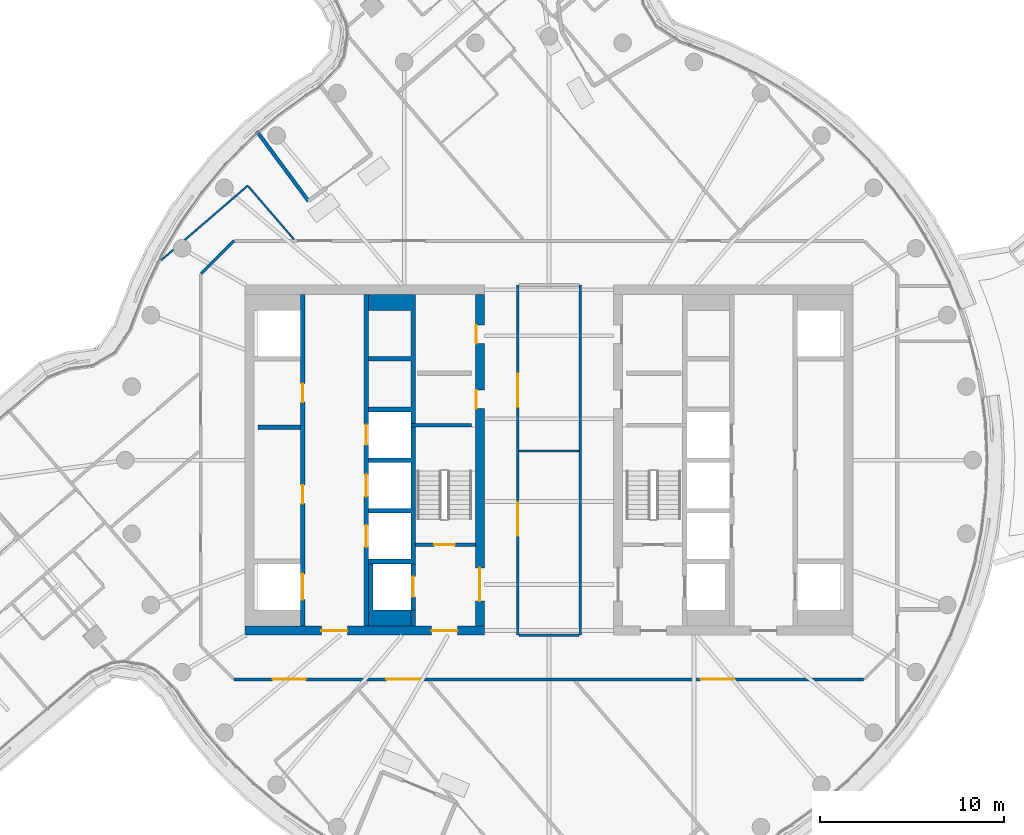
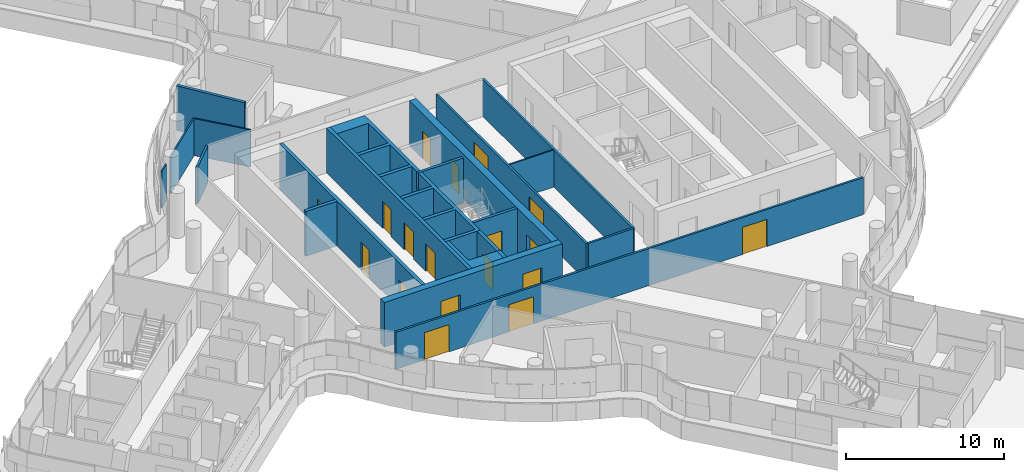
# One storey, part 23 of 34: 21 walls, 18 doors, 18 openings.
"""IFC4 building model written with IfcOpenShell, lengths in metres."""

from ifc_helpers import new_model, si_unit, direction, frame, frame_2d, origin, place, context, subcontext, project, spatial, polyline, rectangle, outline, extrude, material, layer, layer_set, type_object, element, fill, save


model = new_model("IFC4")

# Units and contexts
model_context = context("Model", 3, precision=1e-05, world=origin(), true_north=direction((0.0, 1.0)))
body_context = subcontext(model_context, "Body", "Model", "MODEL_VIEW")
ifc_project = project(units=[si_unit("LENGTHUNIT", "METRE"), si_unit("AREAUNIT", "SQUARE_METRE"), si_unit("VOLUMEUNIT", "CUBIC_METRE"), si_unit("PLANEANGLEUNIT", "RADIAN"), si_unit("MASSUNIT", "GRAM", prefix="KILO")], contexts=[model_context])

# Site, building, storey
site_placement = place(None, origin())
site = spatial("IfcSite", under=ifc_project, at=site_placement, CompositionType="ELEMENT")
building_placement = place(site_placement, origin())
building = spatial("IfcBuilding", under=site, at=building_placement, Name="Tamarind Cross Interchange Tower", CompositionType="ELEMENT")
storey_placement = place(building_placement, frame((0.0, 0.0, 182.5)))
storey = spatial("IfcBuildingStorey", under=building, at=storey_placement, Name="L45", CompositionType="ELEMENT", Elevation=182.5)

# Wall
ifc_material_1 = material(Name="Concrete C40", Category="concrete")
ifc_layer_1 = layer(ifc_material_1, 0.199951171875)
ifc_layer_set_1 = layer_set([ifc_layer_1], Name="Concrete C40")
wall_type_1 = type_object("IfcWallType", Name="Balcony and garden door wall", PredefinedType="SOLIDWALL", material=ifc_layer_set_1)
wall_1_placement = place(storey_placement, frame((-13.058837890625, 14.063720703125, 0.0), z_axis=(0.0, 0.0, 1.0), x_axis=(-0.594539645469, 0.804066296996, 0.0)))
element("IfcWall", 1, at=wall_1_placement, inside=storey, type_object=wall_type_1, Name="EXW-L45-WG-L45-NW-R1", PredefinedType="SOLIDWALL", context=body_context, shape_type="SweptSolid", body=[
    extrude(rectangle(XDim=4.712158203125, YDim=0.199951171875, at=frame_2d((2.35595703125, 0.0))), origin(), (0.0, 0.0, 1.0), 3.4599609375),
])

# Wall, openings, doors
ifc_material_2 = material(Name="Concrete C55", Category="concrete")
ifc_layer_2 = layer(ifc_material_2, 0.5)
ifc_layer_set_2 = layer_set([ifc_layer_2], Name="Concrete C55")
wall_type_2 = type_object("IfcWallType", Name="Core wall 500 mm Concrete C55", PredefinedType="SHEAR", material=ifc_layer_set_2)
wall_2_placement = place(storey_placement, frame((-16.5, -9.25, 0.0), z_axis=(0.0, 0.0, 1.0), x_axis=(1.0, 0.0, 0.0)))
wall_2 = element("IfcWall", 2, at=wall_2_placement, inside=storey, type_object=wall_type_2, Name="Core wall CWL-L45-W-S", PredefinedType="SHEAR", context=body_context, shape_type="SweptSolid", body=[
    extrude(rectangle(XDim=13.0, YDim=0.5, at=frame_2d((6.5, 0.0))), origin(), (0.0, 0.0, 1.0), 3.4599609375),
])
opening_1_placement = place(wall_2_placement, frame((4.14990234375, 0.0, 0.0)))
opening_1 = element("IfcOpeningElement", 3, at=opening_1_placement, cuts=wall_2, Name="Opening DCW1", PredefinedType="OPENING", context=body_context, shape_type="SweptSolid", body=[
    extrude(rectangle(XDim=1.39990234375, YDim=2.10009765625, at=frame_2d((0.699951171875, 1.050048828125))), frame((0.0, 0.260009765625, 0.0), z_axis=(0.0, -1.0, 0.0), x_axis=(1.0, 0.0, 0.0)), (0.0, 0.0, 1.0), 0.52001953125),
])
opening_2_placement = place(wall_2_placement, frame((10.125, 0.0, 0.0)))
opening_2 = element("IfcOpeningElement", 4, at=opening_2_placement, cuts=wall_2, Name="Opening DCWF", PredefinedType="OPENING", context=body_context, shape_type="SweptSolid", body=[
    extrude(rectangle(XDim=1.39990234375, YDim=2.10009765625, at=frame_2d((0.699951171875, 1.050048828125))), frame((0.0, 0.260009765625, 0.0), z_axis=(0.0, -1.0, 0.0), x_axis=(1.0, 0.0, 0.0)), (0.0, 0.0, 1.0), 0.52001953125),
])
ifc_material_3 = material(Name="Steel, fire-resisting", Category="steel")
door_type_1 = type_object("IfcDoorType", Name="Core fire door 1400 x 2100 FD90", OperationType="SINGLE_SWING_LEFT", PredefinedType="DOOR", material=ifc_material_3)
door_1_placement = place(opening_1_placement, origin())
door_1 = element("IfcDoor", 5, at=door_1_placement, inside=storey, type_object=door_type_1, Name="L45 lift lobby door", OperationType="SINGLE_SWING_LEFT", OverallHeight=2.10009765625, OverallWidth=1.39990234375, PredefinedType="DOOR", context=body_context, shape_type="SweptSolid", body=[
    extrude(rectangle(XDim=1.39990234375, YDim=2.10009765625, at=frame_2d((0.699951171875, 1.050048828125))), frame((0.0, 0.02490234375, 0.0), z_axis=(0.0, -1.0, 0.0), x_axis=(1.0, 0.0, 0.0)), (0.0, 0.0, 1.0), 0.050048828125),
])
fill(opening_1, door_1)
door_2_placement = place(opening_2_placement, origin())
door_2 = element("IfcDoor", 6, at=door_2_placement, inside=storey, type_object=door_type_1, Name="L45 firefighting lobby end door", OperationType="SINGLE_SWING_LEFT", OverallHeight=2.10009765625, OverallWidth=1.39990234375, PredefinedType="DOOR", context=body_context, shape_type="SweptSolid", body=[
    extrude(rectangle(XDim=1.39990234375, YDim=2.10009765625, at=frame_2d((0.699951171875, 1.050048828125))), frame((0.0, 0.02490234375, 0.0), z_axis=(0.0, -1.0, 0.0), x_axis=(1.0, 0.0, 0.0)), (0.0, 0.0, 1.0), 0.050048828125),
])
fill(opening_2, door_2)

wall_3_placement = place(storey_placement, frame((-3.75, -9.0, 0.0), z_axis=(0.0, 0.0, 1.0), x_axis=(0.0, 1.0, 0.0)))
wall_3 = element("IfcWall", 7, at=wall_3_placement, inside=storey, type_object=wall_type_2, Name="Core wall CWL-L45-W-IN", PredefinedType="SHEAR", context=body_context, shape_type="SweptSolid", body=[
    extrude(rectangle(XDim=18.0, YDim=0.5, at=frame_2d((9.0, 0.0))), origin(), (0.0, 0.0, 1.0), 3.4599609375),
])
opening_3_placement = place(wall_3_placement, frame((1.35009765625, 0.0, 0.0)))
opening_3 = element("IfcOpeningElement", 8, at=opening_3_placement, cuts=wall_3, Name="Opening DCW4", PredefinedType="OPENING", context=body_context, shape_type="SweptSolid", body=[
    extrude(rectangle(XDim=1.800048828125, YDim=2.10009765625, at=frame_2d((0.89990234375, 1.050048828125))), frame((0.0, 0.260009765625, 0.0), z_axis=(0.0, -1.0, 0.0), x_axis=(1.0, 0.0, 0.0)), (0.0, 0.0, 1.0), 0.52001953125),
])
opening_4_placement = place(wall_3_placement, frame((11.797607421875, 0.0, 0.0)))
opening_4 = element("IfcOpeningElement", 9, at=opening_4_placement, cuts=wall_3, Name="Opening DCW5", PredefinedType="OPENING", context=body_context, shape_type="SweptSolid", body=[
    extrude(rectangle(XDim=1.0, YDim=2.10009765625, at=frame_2d((0.5, 1.050048828125))), frame((0.0, 0.260009765625, 0.0), z_axis=(0.0, -1.0, 0.0), x_axis=(1.0, 0.0, 0.0)), (0.0, 0.0, 1.0), 0.52001953125),
])
opening_5_placement = place(wall_3_placement, frame((15.322509765625, 0.0, 0.0)))
opening_5 = element("IfcOpeningElement", 10, at=opening_5_placement, cuts=wall_3, Name="Opening DCW5", PredefinedType="OPENING", context=body_context, shape_type="SweptSolid", body=[
    extrude(rectangle(XDim=1.0, YDim=2.10009765625, at=frame_2d((0.5, 1.050048828125))), frame((0.0, 0.260009765625, 0.0), z_axis=(0.0, -1.0, 0.0), x_axis=(1.0, 0.0, 0.0)), (0.0, 0.0, 1.0), 0.52001953125),
])
door_type_2 = type_object("IfcDoorType", Name="Core fire door 1000 x 2100 FD90", OperationType="SINGLE_SWING_LEFT", PredefinedType="DOOR", material=ifc_material_3)
door_3_placement = place(opening_4_placement, origin())
door_3 = element("IfcDoor", 11, at=door_3_placement, inside=storey, type_object=door_type_2, Name="L45 linen press door", OperationType="SINGLE_SWING_LEFT", OverallHeight=2.10009765625, OverallWidth=1.0, PredefinedType="DOOR", context=body_context, shape_type="SweptSolid", body=[
    extrude(rectangle(XDim=1.0, YDim=2.10009765625, at=frame_2d((0.5, 1.050048828125))), frame((0.0, 0.22509765625, 0.0), z_axis=(0.0, -1.0, 0.0), x_axis=(1.0, 0.0, 0.0)), (0.0, 0.0, 1.0), 0.050048828125),
])
fill(opening_4, door_3)
door_4_placement = place(opening_5_placement, origin())
door_4 = element("IfcDoor", 12, at=door_4_placement, inside=storey, type_object=door_type_2, Name="L45 housekeeping pantry door", OperationType="SINGLE_SWING_LEFT", OverallHeight=2.10009765625, OverallWidth=1.0, PredefinedType="DOOR", context=body_context, shape_type="SweptSolid", body=[
    extrude(rectangle(XDim=1.0, YDim=2.10009765625, at=frame_2d((0.5, 1.050048828125))), frame((0.0, 0.22509765625, 0.0), z_axis=(0.0, -1.0, 0.0), x_axis=(1.0, 0.0, 0.0)), (0.0, 0.0, 1.0), 0.050048828125),
])
fill(opening_5, door_4)
door_type_3 = type_object("IfcDoorType", Name="Core fire door 1800 x 2100 FD90", OperationType="SINGLE_SWING_LEFT", PredefinedType="DOOR", material=ifc_material_3)
door_5_placement = place(opening_3_placement, origin())
door_5 = element("IfcDoor", 13, at=door_5_placement, inside=storey, type_object=door_type_3, Name="L45 firefighting lobby door", OperationType="SINGLE_SWING_LEFT", OverallHeight=2.10009765625, OverallWidth=1.800048828125, PredefinedType="DOOR", context=body_context, shape_type="SweptSolid", body=[
    extrude(rectangle(XDim=1.800048828125, YDim=2.10009765625, at=frame_2d((0.89990234375, 1.050048828125))), frame((0.0, 0.02490234375, 0.0), z_axis=(0.0, -1.0, 0.0), x_axis=(1.0, 0.0, 0.0)), (0.0, 0.0, 1.0), 0.050048828125),
])
fill(opening_3, door_5)

# Walls
ifc_layer_3 = layer(ifc_material_2, 0.199951171875)
ifc_layer_set_3 = layer_set([ifc_layer_3], Name="Concrete C55")
wall_type_3 = type_object("IfcWallType", Name="Core web wall 200 mm Concrete C55", PredefinedType="SHEAR", material=ifc_layer_set_3)
wall_4_placement = place(storey_placement, frame((-7.5, 1.89990234375, 0.0), z_axis=(0.0, 0.0, 1.0), x_axis=(1.0, 0.0, 0.0)))
element("IfcWall", 14, at=wall_4_placement, inside=storey, type_object=wall_type_3, Name="Core wall CWL-L45-W-BD", PredefinedType="SHEAR", context=body_context, shape_type="SweptSolid", body=[
    extrude(rectangle(XDim=3.300048828125, YDim=0.199951171875, at=frame_2d((1.64990234375, 0.0))), origin(), (0.0, 0.0, 1.0), 3.4599609375),
])
ifc_layer_4 = layer(ifc_material_2, 0.25)
ifc_layer_set_4 = layer_set([ifc_layer_4], Name="Concrete C55")
wall_type_4 = type_object("IfcWallType", Name="Core web wall 250 mm Concrete C55", PredefinedType="SHEAR", material=ifc_layer_set_4)
wall_5_placement = place(storey_placement, origin())
element("IfcWall", 15, at=wall_5_placement, inside=storey, type_object=wall_type_4, Name="Core wall CWL-L45-W-BN", PredefinedType="SHEAR", context=body_context, shape_type="SweptSolid", body=[
    extrude(outline(polyline([(-9.800048828125, -5.375), (-9.800048828125, -5.625), (-7.5, -5.625), (-7.25, -5.625), (-7.25, 9.0), (-7.5, 9.0), (-9.800048828125, 9.0), (-9.800048828125, 8.125), (-7.5, 8.125), (-7.5, 5.625), (-9.800048828125, 5.625), (-9.800048828125, 5.375), (-7.5, 5.375), (-7.5, 2.875), (-9.800048828125, 2.875), (-9.800048828125, 2.625), (-7.5, 2.625), (-7.5, 0.125), (-9.800048828125, 0.125), (-9.800048828125, -0.125), (-7.5, -0.125), (-7.5, -2.625), (-9.800048828125, -2.625), (-9.800048828125, -2.875), (-7.5, -2.875), (-7.5, -5.375), (-9.800048828125, -5.375)])), origin(), (0.0, 0.0, 1.0), 3.4599609375),
])
wall_6_placement = place(storey_placement, origin())
element("IfcWall", 16, at=wall_6_placement, inside=storey, type_object=wall_type_4, Name="Core wall CWL-L45-W-BS", PredefinedType="SHEAR", context=body_context, shape_type="SweptSolid", body=[
    extrude(outline(polyline([(-7.5, -8.125), (-9.550048828125, -8.125), (-9.550048828125, -5.625), (-9.800048828125, -5.625), (-9.800048828125, -8.125), (-9.800048828125, -9.0), (-7.5, -9.0), (-7.5, -8.125)])), origin(), (0.0, 0.0, 1.0), 3.4599609375),
])
wall_7_placement = place(storey_placement, frame((-7.375, -9.0, 0.0), z_axis=(0.0, 0.0, 1.0), x_axis=(0.0, 1.0, 0.0)))
element("IfcWall", 17, at=wall_7_placement, inside=storey, type_object=wall_type_4, Name="Core wall CWL-L45-W-BW", PredefinedType="SHEAR", context=body_context, shape_type="SweptSolid", body=[
    extrude(rectangle(XDim=0.875, YDim=0.25, at=frame_2d((0.4375, 0.0))), origin(), (0.0, 0.0, 1.0), 3.4599609375),
])

# Wall, openings, doors
wall_8_placement = place(storey_placement, frame((-13.375, -9.0, 0.0), z_axis=(0.0, 0.0, 1.0), x_axis=(0.0, 1.0, 0.0)))
wall_8 = element("IfcWall", 18, at=wall_8_placement, inside=storey, type_object=wall_type_4, Name="Core wall CWL-L45-W-LA", PredefinedType="SHEAR", context=body_context, shape_type="SweptSolid", body=[
    extrude(rectangle(XDim=18.0, YDim=0.25, at=frame_2d((9.0, 0.0))), origin(), (0.0, 0.0, 1.0), 3.4599609375),
])
opening_6_placement = place(wall_8_placement, frame((1.425048828125, 0.0, 0.0)))
opening_6 = element("IfcOpeningElement", 19, at=opening_6_placement, cuts=wall_8, Name="Opening LD1L45", PredefinedType="OPENING", context=body_context, shape_type="SweptSolid", body=[
    extrude(rectangle(XDim=1.39990234375, YDim=2.10009765625, at=frame_2d((0.699951171875, 1.050048828125))), frame((0.0, 0.135009765625, 0.0), z_axis=(0.0, -1.0, 0.0), x_axis=(1.0, 0.0, 0.0)), (0.0, 0.0, 1.0), 0.27001953125),
])
opening_7_placement = place(wall_8_placement, frame((6.64599609375, 0.0, 0.0)))
opening_7 = element("IfcOpeningElement", 20, at=opening_7_placement, cuts=wall_8, Name="Opening DCW9", PredefinedType="OPENING", context=body_context, shape_type="SweptSolid", body=[
    extrude(rectangle(XDim=1.0, YDim=2.10009765625, at=frame_2d((0.5, 1.050048828125))), frame((0.0, 0.135009765625, 0.0), z_axis=(0.0, -1.0, 0.0), x_axis=(1.0, 0.0, 0.0)), (0.0, 0.0, 1.0), 0.27001953125),
])
opening_8_placement = place(wall_8_placement, frame((12.14599609375, 0.0, 0.0)))
opening_8 = element("IfcOpeningElement", 21, at=opening_8_placement, cuts=wall_8, Name="Opening DCW10", PredefinedType="OPENING", context=body_context, shape_type="SweptSolid", body=[
    extrude(rectangle(XDim=1.0, YDim=2.10009765625, at=frame_2d((0.5, 1.050048828125))), frame((0.0, 0.135009765625, 0.0), z_axis=(0.0, -1.0, 0.0), x_axis=(1.0, 0.0, 0.0)), (0.0, 0.0, 1.0), 0.27001953125),
])
door_6_placement = place(opening_7_placement, origin())
door_6 = element("IfcDoor", 22, at=door_6_placement, inside=storey, type_object=door_type_2, Name="L45 Guest laundry door", OperationType="SINGLE_SWING_LEFT", OverallHeight=2.10009765625, OverallWidth=1.0, PredefinedType="DOOR", context=body_context, shape_type="SweptSolid", body=[
    extrude(rectangle(XDim=1.0, YDim=2.10009765625, at=frame_2d((0.5, 1.050048828125))), frame((0.0, 0.02490234375, 0.0), z_axis=(0.0, -1.0, 0.0), x_axis=(1.0, 0.0, 0.0)), (0.0, 0.0, 1.0), 0.050048828125),
])
fill(opening_7, door_6)
door_7_placement = place(opening_8_placement, origin())
door_7 = element("IfcDoor", 23, at=door_7_placement, inside=storey, type_object=door_type_2, Name="L45 Housekeeping pantry door", OperationType="SINGLE_SWING_LEFT", OverallHeight=2.10009765625, OverallWidth=1.0, PredefinedType="DOOR", context=body_context, shape_type="SweptSolid", body=[
    extrude(rectangle(XDim=1.0, YDim=2.10009765625, at=frame_2d((0.5, 1.050048828125))), frame((0.0, 0.02490234375, 0.0), z_axis=(0.0, -1.0, 0.0), x_axis=(1.0, 0.0, 0.0)), (0.0, 0.0, 1.0), 0.050048828125),
])
fill(opening_8, door_7)
ifc_material_4 = material(Name="Stainless steel panel", Category="steel")
door_type_4 = type_object("IfcDoorType", Name="Lift landing door 1400 x 2100 E 120", OperationType="SLIDING_TO_LEFT", PredefinedType="DOOR", material=ifc_material_4)
door_8_placement = place(opening_6_placement, origin())
door_8 = element("IfcDoor", 24, at=door_8_placement, inside=storey, type_object=door_type_4, Name="L45 landing door LF1", OperationType="SLIDING_TO_LEFT", OverallHeight=2.10009765625, OverallWidth=1.39990234375, PredefinedType="DOOR", context=body_context, shape_type="SweptSolid", body=[
    extrude(rectangle(XDim=1.39990234375, YDim=2.10009765625, at=frame_2d((0.699951171875, 1.050048828125))), frame((0.0, 0.02490234375, 0.0), z_axis=(0.0, -1.0, 0.0), x_axis=(1.0, 0.0, 0.0)), (0.0, 0.0, 1.0), 0.050048828125),
])
fill(opening_6, door_8)

wall_9_placement = place(storey_placement, frame((-9.925048828125, -9.0, 0.0), z_axis=(0.0, 0.0, 1.0), x_axis=(0.0, 1.0, 0.0)))
wall_9 = element("IfcWall", 25, at=wall_9_placement, inside=storey, type_object=wall_type_4, Name="Core wall CWL-L45-W-LB", PredefinedType="SHEAR", context=body_context, shape_type="SweptSolid", body=[
    extrude(rectangle(XDim=18.0, YDim=0.25, at=frame_2d((9.0, 0.0))), origin(), (0.0, 0.0, 1.0), 3.4599609375),
])
opening_9_placement = place(wall_9_placement, frame((4.27490234375, 0.0, 0.0)))
opening_9 = element("IfcOpeningElement", 26, at=opening_9_placement, cuts=wall_9, Name="Opening LD8L45", PredefinedType="OPENING", context=body_context, shape_type="SweptSolid", body=[
    extrude(rectangle(XDim=1.199951171875, YDim=2.10009765625, at=frame_2d((0.60009765625, 1.050048828125))), frame((0.0, 0.135009765625, 0.0), z_axis=(0.0, -1.0, 0.0), x_axis=(1.0, 0.0, 0.0)), (0.0, 0.0, 1.0), 0.27001953125),
])
opening_10_placement = place(wall_9_placement, frame((7.02490234375, 0.0, 0.0)))
opening_10 = element("IfcOpeningElement", 27, at=opening_10_placement, cuts=wall_9, Name="Opening LD9L45", PredefinedType="OPENING", context=body_context, shape_type="SweptSolid", body=[
    extrude(rectangle(XDim=1.199951171875, YDim=2.10009765625, at=frame_2d((0.60009765625, 1.050048828125))), frame((0.0, 0.135009765625, 0.0), z_axis=(0.0, -1.0, 0.0), x_axis=(1.0, 0.0, 0.0)), (0.0, 0.0, 1.0), 0.27001953125),
])
opening_11_placement = place(wall_9_placement, frame((9.824951171875, 0.0, 0.0)))
opening_11 = element("IfcOpeningElement", 28, at=opening_11_placement, cuts=wall_9, Name="Opening LD10L45", PredefinedType="OPENING", context=body_context, shape_type="SweptSolid", body=[
    extrude(rectangle(XDim=1.10009765625, YDim=2.10009765625, at=frame_2d((0.550048828125, 1.050048828125))), frame((0.0, 0.135009765625, 0.0), z_axis=(0.0, -1.0, 0.0), x_axis=(1.0, 0.0, 0.0)), (0.0, 0.0, 1.0), 0.27001953125),
])
door_type_5 = type_object("IfcDoorType", Name="Lift landing door 1100 x 2100 E 120", OperationType="SLIDING_TO_LEFT", PredefinedType="DOOR", material=ifc_material_4)
door_9_placement = place(opening_11_placement, origin())
door_9 = element("IfcDoor", 29, at=door_9_placement, inside=storey, type_object=door_type_5, Name="L45 landing door LF10", OperationType="SLIDING_TO_LEFT", OverallHeight=2.10009765625, OverallWidth=1.10009765625, PredefinedType="DOOR", context=body_context, shape_type="SweptSolid", body=[
    extrude(rectangle(XDim=1.10009765625, YDim=2.10009765625, at=frame_2d((0.550048828125, 1.050048828125))), frame((0.0, 0.02490234375, 0.0), z_axis=(0.0, -1.0, 0.0), x_axis=(1.0, 0.0, 0.0)), (0.0, 0.0, 1.0), 0.050048828125),
])
fill(opening_11, door_9)
door_type_6 = type_object("IfcDoorType", Name="Lift landing door 1200 x 2100 E 120", OperationType="SLIDING_TO_LEFT", PredefinedType="DOOR", material=ifc_material_4)
door_10_placement = place(opening_9_placement, origin())
door_10 = element("IfcDoor", 30, at=door_10_placement, inside=storey, type_object=door_type_6, Name="L45 landing door LF8", OperationType="SLIDING_TO_LEFT", OverallHeight=2.10009765625, OverallWidth=1.199951171875, PredefinedType="DOOR", context=body_context, shape_type="SweptSolid", body=[
    extrude(rectangle(XDim=1.199951171875, YDim=2.10009765625, at=frame_2d((0.60009765625, 1.050048828125))), frame((0.0, 0.02490234375, 0.0), z_axis=(0.0, -1.0, 0.0), x_axis=(1.0, 0.0, 0.0)), (0.0, 0.0, 1.0), 0.050048828125),
])
fill(opening_9, door_10)
door_11_placement = place(opening_10_placement, origin())
door_11 = element("IfcDoor", 31, at=door_11_placement, inside=storey, type_object=door_type_6, Name="L45 landing door LF9", OperationType="SLIDING_TO_LEFT", OverallHeight=2.10009765625, OverallWidth=1.199951171875, PredefinedType="DOOR", context=body_context, shape_type="SweptSolid", body=[
    extrude(rectangle(XDim=1.199951171875, YDim=2.10009765625, at=frame_2d((0.60009765625, 1.050048828125))), frame((0.0, 0.02490234375, 0.0), z_axis=(0.0, -1.0, 0.0), x_axis=(1.0, 0.0, 0.0)), (0.0, 0.0, 1.0), 0.050048828125),
])
fill(opening_10, door_11)

# Wall, opening, door
wall_10_placement = place(storey_placement, frame((-7.375, -8.125, 0.0), z_axis=(0.0, 0.0, 1.0), x_axis=(0.0, 1.0, 0.0)))
wall_10 = element("IfcWall", 32, at=wall_10_placement, inside=storey, type_object=wall_type_4, Name="Core wall CWL-L45-W-FF", PredefinedType="SHEAR", context=body_context, shape_type="SweptSolid", body=[
    extrude(rectangle(XDim=2.5, YDim=0.25, at=frame_2d((1.25, 0.0))), origin(), (0.0, 0.0, 1.0), 3.4599609375),
])
opening_12_placement = place(wall_10_placement, frame((0.699951171875, 0.0, 0.0)))
opening_12 = element("IfcOpeningElement", 33, at=opening_12_placement, cuts=wall_10, Name="Opening LD7L45", PredefinedType="OPENING", context=body_context, shape_type="SweptSolid", body=[
    extrude(rectangle(XDim=1.10009765625, YDim=2.10009765625, at=frame_2d((0.550048828125, 1.050048828125))), frame((0.0, 0.135009765625, 0.0), z_axis=(0.0, -1.0, 0.0), x_axis=(1.0, 0.0, 0.0)), (0.0, 0.0, 1.0), 0.27001953125),
])
door_12_placement = place(opening_12_placement, origin())
door_12 = element("IfcDoor", 34, at=door_12_placement, inside=storey, type_object=door_type_5, Name="L45 landing door LF7", OperationType="SLIDING_TO_LEFT", OverallHeight=2.10009765625, OverallWidth=1.10009765625, PredefinedType="DOOR", context=body_context, shape_type="SweptSolid", body=[
    extrude(rectangle(XDim=1.10009765625, YDim=2.10009765625, at=frame_2d((0.550048828125, 1.050048828125))), frame((0.0, 0.02490234375, 0.0), z_axis=(0.0, -1.0, 0.0), x_axis=(1.0, 0.0, 0.0)), (0.0, 0.0, 1.0), 0.050048828125),
])
fill(opening_12, door_12)

# Walls
ifc_material_5 = material(Name="Gypsum board partition on steel studs", Category="steel")
ifc_layer_5 = layer(ifc_material_5, 0.10009765625)
ifc_layer_set_5 = layer_set([ifc_layer_5], Name="Gypsum board partition on steel studs")
wall_type_5 = type_object("IfcWallType", Name="Partition 100 mm EI 120", PredefinedType="PARTITIONING", material=ifc_layer_set_5)
wall_11_placement = place(storey_placement, frame((-1.639892578125, 0.5, 0.0), z_axis=(0.0, 0.0, 1.0), x_axis=(1.0, 0.0, 0.0)))
element("IfcWall", 35, at=wall_11_placement, inside=storey, type_object=wall_type_5, Name="Partition L45-045", PredefinedType="PARTITIONING", context=body_context, shape_type="SweptSolid", body=[
    extrude(rectangle(XDim=3.27978515625, YDim=0.10009765625, at=frame_2d((1.639892578125, 0.0))), origin(), (0.0, 0.0, 1.0), 2.864013671875),
])
ifc_layer_6 = layer(ifc_material_5, 0.10009765625)
ifc_layer_set_6 = layer_set([ifc_layer_6], Name="Gypsum board partition on steel studs")
wall_type_6 = type_object("IfcWallType", Name="Partition 100 mm EI 90", PredefinedType="PARTITIONING", material=ifc_layer_set_6)
wall_12_placement = place(storey_placement, frame((-16.3212890625, 14.858154296875, 0.0), z_axis=(0.0, 0.0, 1.0), x_axis=(0.652675414557, -0.757637646393, 0.0)))
element("IfcWall", 36, at=wall_12_placement, inside=storey, type_object=wall_type_6, Name="Partition L45-015", PredefinedType="PARTITIONING", context=body_context, shape_type="SweptSolid", body=[
    extrude(rectangle(XDim=3.784423828125, YDim=0.10009765625, at=frame_2d((1.89208984375, 0.0))), origin(), (0.0, 0.0, 1.0), 2.864013671875),
])
wall_13_placement = place(storey_placement, frame((-21.051513671875, 10.849365234375, 0.0), z_axis=(0.0, 0.0, 1.0), x_axis=(0.757749789009, 0.652545214722, 0.0)))
element("IfcWall", 37, at=wall_13_placement, inside=storey, type_object=wall_type_6, Name="Partition L45-059", PredefinedType="PARTITIONING", context=body_context, shape_type="SweptSolid", body=[
    extrude(rectangle(XDim=0.8818359375, YDim=0.10009765625, at=frame_2d((0.44091796875, 0.0))), origin(), (0.0, 0.0, 1.0), 2.864013671875),
])
wall_14_placement = place(storey_placement, frame((-19.777099609375, 11.947021484375, 0.0), z_axis=(0.0, 0.0, 1.0), x_axis=(0.757625544508, 0.652689462386, 0.0)))
element("IfcWall", 38, at=wall_14_placement, inside=storey, type_object=wall_type_6, Name="Partition L45-060", PredefinedType="PARTITIONING", context=body_context, shape_type="SweptSolid", body=[
    extrude(rectangle(XDim=4.518310546875, YDim=0.10009765625, at=frame_2d((2.25927734375, 0.0))), origin(), (0.0, 0.0, 1.0), 2.864013671875),
])

# Wall, openings, doors
ifc_layer_7 = layer(ifc_material_5, 0.14990234375)
ifc_layer_set_7 = layer_set([ifc_layer_7], Name="Gypsum board partition on steel studs")
wall_type_7 = type_object("IfcWallType", Name="Partition 150 mm EI 120", PredefinedType="PARTITIONING", material=ifc_layer_set_7)
wall_15_placement = place(storey_placement, frame((-17.10009765625, -11.89990234375, 0.0), z_axis=(0.0, 0.0, 1.0), x_axis=(1.0, 0.0, 0.0)))
wall_15 = element("IfcWall", 39, at=wall_15_placement, inside=storey, type_object=wall_type_7, Name="Partition L45-042", PredefinedType="PARTITIONING", context=body_context, shape_type="SweptSolid", body=[
    extrude(rectangle(XDim=34.1650390625, YDim=0.14990234375, at=frame_2d((17.08251953125, 0.0))), origin(), (0.0, 0.0, 1.0), 2.864013671875),
])
opening_13_placement = place(wall_15_placement, frame((8.27392578125, 0.0, 0.0)))
opening_13 = element("IfcOpeningElement", 40, at=opening_13_placement, cuts=wall_15, Name="Opening D23", PredefinedType="OPENING", context=body_context, shape_type="SweptSolid", body=[
    extrude(rectangle(XDim=1.800048828125, YDim=2.10009765625, at=frame_2d((0.89990234375, 1.050048828125))), frame((0.0, 0.0849609375, 0.0), z_axis=(0.0, -1.0, 0.0), x_axis=(1.0, 0.0, 0.0)), (0.0, 0.0, 1.0), 0.169921875),
])
opening_14_placement = place(wall_15_placement, frame((2.10009765625, 0.0, 0.0)))
opening_14 = element("IfcOpeningElement", 41, at=opening_14_placement, cuts=wall_15, Name="Opening D24", PredefinedType="OPENING", context=body_context, shape_type="SweptSolid", body=[
    extrude(rectangle(XDim=1.800048828125, YDim=2.10009765625, at=frame_2d((0.89990234375, 1.050048828125))), frame((0.0, 0.0849609375, 0.0), z_axis=(0.0, -1.0, 0.0), x_axis=(1.0, 0.0, 0.0)), (0.0, 0.0, 1.0), 0.169921875),
])
opening_15_placement = place(wall_15_placement, frame((25.330078125, 0.0, 0.0)))
opening_15 = element("IfcOpeningElement", 42, at=opening_15_placement, cuts=wall_15, Name="Opening D25", PredefinedType="OPENING", context=body_context, shape_type="SweptSolid", body=[
    extrude(rectangle(XDim=1.800048828125, YDim=2.10009765625, at=frame_2d((0.89990234375, 1.050048828125))), frame((0.0, 0.0849609375, 0.0), z_axis=(0.0, -1.0, 0.0), x_axis=(1.0, 0.0, 0.0)), (0.0, 0.0, 1.0), 0.169921875),
])
ifc_material_6 = material(Name="Fire-resisting door set")
door_type_7 = type_object("IfcDoorType", Name="Interior door 1800 x 2100 FD60S", OperationType="DOUBLE_DOOR_SINGLE_SWING", PredefinedType="DOOR", material=ifc_material_6)
door_13_placement = place(opening_13_placement, origin())
door_13 = element("IfcDoor", 43, at=door_13_placement, inside=storey, type_object=door_type_7, Name="Door D23", OperationType="DOUBLE_DOOR_SINGLE_SWING", OverallHeight=2.10009765625, OverallWidth=1.800048828125, PredefinedType="DOOR", context=body_context, shape_type="SweptSolid", body=[
    extrude(rectangle(XDim=1.800048828125, YDim=2.10009765625, at=frame_2d((0.89990234375, 1.050048828125))), frame((0.0, 0.02490234375, 0.0), z_axis=(0.0, -1.0, 0.0), x_axis=(1.0, 0.0, 0.0)), (0.0, 0.0, 1.0), 0.050048828125),
])
fill(opening_13, door_13)
door_14_placement = place(opening_14_placement, frame((1.800048828125, 0.0, 0.0), z_axis=(0.0, 0.0, 1.0), x_axis=(-1.0, 0.0, 0.0)))
door_14 = element("IfcDoor", 44, at=door_14_placement, inside=storey, type_object=door_type_7, Name="Door D24", OperationType="DOUBLE_DOOR_SINGLE_SWING", OverallHeight=2.10009765625, OverallWidth=1.800048828125, PredefinedType="DOOR", context=body_context, shape_type="SweptSolid", body=[
    extrude(rectangle(XDim=1.800048828125, YDim=2.10009765625, at=frame_2d((0.89990234375, 1.050048828125))), frame((0.0, 0.02490234375, 0.0), z_axis=(0.0, -1.0, 0.0), x_axis=(1.0, 0.0, 0.0)), (0.0, 0.0, 1.0), 0.050048828125),
])
fill(opening_14, door_14)
door_15_placement = place(opening_15_placement, origin())
door_15 = element("IfcDoor", 45, at=door_15_placement, inside=storey, type_object=door_type_7, Name="Door D25", OperationType="DOUBLE_DOOR_SINGLE_SWING", OverallHeight=2.10009765625, OverallWidth=1.800048828125, PredefinedType="DOOR", context=body_context, shape_type="SweptSolid", body=[
    extrude(rectangle(XDim=1.800048828125, YDim=2.10009765625, at=frame_2d((0.89990234375, 1.050048828125))), frame((0.0, 0.02490234375, 0.0), z_axis=(0.0, -1.0, 0.0), x_axis=(1.0, 0.0, 0.0)), (0.0, 0.0, 1.0), 0.050048828125),
])
fill(opening_15, door_15)

# Walls
wall_16_placement = place(storey_placement, frame((-1.639892578125, -9.5, 0.0), z_axis=(0.0, 0.0, 1.0), x_axis=(1.0, 0.0, 0.0)))
element("IfcWall", 46, at=wall_16_placement, inside=storey, type_object=wall_type_7, Name="Partition L45-044", PredefinedType="PARTITIONING", context=body_context, shape_type="SweptSolid", body=[
    extrude(rectangle(XDim=3.27978515625, YDim=0.14990234375, at=frame_2d((1.639892578125, 0.0))), origin(), (0.0, 0.0, 1.0), 2.864013671875),
])
wall_17_placement = place(storey_placement, frame((-18.87158203125, 10.12841796875, 0.0), z_axis=(0.0, 0.0, 1.0), x_axis=(0.707106781187, 0.707106781187, 0.0)))
element("IfcWall", 47, at=wall_17_placement, inside=storey, type_object=wall_type_7, Name="Partition L45-089", PredefinedType="PARTITIONING", context=body_context, shape_type="SweptSolid", body=[
    extrude(rectangle(XDim=2.50537109375, YDim=0.14990234375, at=frame_2d((1.252685546875, 0.0))), origin(), (0.0, 0.0, 1.0), 2.864013671875),
])

# Wall, openings, doors
wall_18_placement = place(storey_placement, frame((-1.699951171875, -9.5, 0.0), z_axis=(0.0, 0.0, 1.0), x_axis=(0.0, 1.0, 0.0)))
wall_18 = element("IfcWall", 48, at=wall_18_placement, inside=storey, type_object=wall_type_7, Name="Partition L45-092", PredefinedType="PARTITIONING", context=body_context, shape_type="SweptSolid", body=[
    extrude(rectangle(XDim=19.0, YDim=0.14990234375, at=frame_2d((9.5, 0.0))), origin(), (0.0, 0.0, 1.0), 2.864013671875),
])
opening_16_placement = place(wall_18_placement, frame((5.39990234375, 0.0, 0.0)))
opening_16 = element("IfcOpeningElement", 49, at=opening_16_placement, cuts=wall_18, Name="Opening D51", PredefinedType="OPENING", context=body_context, shape_type="SweptSolid", body=[
    extrude(rectangle(XDim=1.800048828125, YDim=2.10009765625, at=frame_2d((0.89990234375, 1.050048828125))), frame((0.0, 0.0849609375, 0.0), z_axis=(0.0, -1.0, 0.0), x_axis=(1.0, 0.0, 0.0)), (0.0, 0.0, 1.0), 0.169921875),
])
opening_17_placement = place(wall_18_placement, frame((12.39990234375, 0.0, 0.0)))
opening_17 = element("IfcOpeningElement", 50, at=opening_17_placement, cuts=wall_18, Name="Opening D52", PredefinedType="OPENING", context=body_context, shape_type="SweptSolid", body=[
    extrude(rectangle(XDim=1.800048828125, YDim=2.10009765625, at=frame_2d((0.89990234375, 1.050048828125))), frame((0.0, 0.0849609375, 0.0), z_axis=(0.0, -1.0, 0.0), x_axis=(1.0, 0.0, 0.0)), (0.0, 0.0, 1.0), 0.169921875),
])
door_16_placement = place(opening_16_placement, frame((1.800048828125, 0.0, 0.0), z_axis=(0.0, 0.0, 1.0), x_axis=(-1.0, 0.0, 0.0)))
door_16 = element("IfcDoor", 51, at=door_16_placement, inside=storey, type_object=door_type_7, Name="Door D51", OperationType="DOUBLE_DOOR_SINGLE_SWING", OverallHeight=2.10009765625, OverallWidth=1.800048828125, PredefinedType="DOOR", context=body_context, shape_type="SweptSolid", body=[
    extrude(rectangle(XDim=1.800048828125, YDim=2.10009765625, at=frame_2d((0.89990234375, 1.050048828125))), frame((0.0, 0.02490234375, 0.0), z_axis=(0.0, -1.0, 0.0), x_axis=(1.0, 0.0, 0.0)), (0.0, 0.0, 1.0), 0.050048828125),
])
fill(opening_16, door_16)
door_17_placement = place(opening_17_placement, frame((1.800048828125, 0.0, 0.0), z_axis=(0.0, 0.0, 1.0), x_axis=(-1.0, 0.0, 0.0)))
door_17 = element("IfcDoor", 52, at=door_17_placement, inside=storey, type_object=door_type_7, Name="Door D52", OperationType="DOUBLE_DOOR_SINGLE_SWING", OverallHeight=2.10009765625, OverallWidth=1.800048828125, PredefinedType="DOOR", context=body_context, shape_type="SweptSolid", body=[
    extrude(rectangle(XDim=1.800048828125, YDim=2.10009765625, at=frame_2d((0.89990234375, 1.050048828125))), frame((0.0, 0.02490234375, 0.0), z_axis=(0.0, -1.0, 0.0), x_axis=(1.0, 0.0, 0.0)), (0.0, 0.0, 1.0), 0.050048828125),
])
fill(opening_17, door_17)

# Walls
wall_19_placement = place(storey_placement, frame((1.699951171875, -9.5, 0.0), z_axis=(0.0, 0.0, 1.0), x_axis=(0.0, 1.0, 0.0)))
element("IfcWall", 53, at=wall_19_placement, inside=storey, type_object=wall_type_7, Name="Partition L45-093", PredefinedType="PARTITIONING", context=body_context, shape_type="SweptSolid", body=[
    extrude(rectangle(XDim=19.0, YDim=0.14990234375, at=frame_2d((9.5, 0.0))), origin(), (0.0, 0.0, 1.0), 2.864013671875),
])
ifc_layer_8 = layer(ifc_material_1, 0.25)
ifc_layer_set_8 = layer_set([ifc_layer_8], Name="Concrete C40")
wall_type_8 = type_object("IfcWallType", Name="Shaft and lobby wall 250 mm Concrete C40", PredefinedType="PARTITIONING", material=ifc_layer_set_8)
wall_20_placement = place(storey_placement, frame((-15.800048828125, 1.7919921875, 0.0), z_axis=(0.0, 0.0, 1.0), x_axis=(1.0, 0.0, 0.0)))
element("IfcWall", 54, at=wall_20_placement, inside=storey, type_object=wall_type_8, Name="Shaft wall CWL-L45-W-FPA1", PredefinedType="PARTITIONING", context=body_context, shape_type="SweptSolid", body=[
    extrude(rectangle(XDim=2.300048828125, YDim=0.25, at=frame_2d((1.14990234375, 0.0))), origin(), (0.0, 0.0, 1.0), 3.4599609375),
])

# Wall, opening, door
ifc_layer_9 = layer(ifc_material_1, 0.199951171875)
ifc_layer_set_9 = layer_set([ifc_layer_9], Name="Concrete C40")
wall_type_9 = type_object("IfcWallType", Name="Stair shaft wall 200 mm Concrete C40", PredefinedType="SHEAR", material=ifc_layer_set_9)
wall_21_placement = place(storey_placement, frame((-7.25, -4.60009765625, 0.0), z_axis=(0.0, 0.0, 1.0), x_axis=(1.0, 0.0, 0.0)))
wall_21 = element("IfcWall", 55, at=wall_21_placement, inside=storey, type_object=wall_type_9, Name="Core wall CWL-L45-W-SD", PredefinedType="SHEAR", context=body_context, shape_type="SweptSolid", body=[
    extrude(rectangle(XDim=3.25, YDim=0.199951171875, at=frame_2d((1.625, 0.0))), origin(), (0.0, 0.0, 1.0), 3.4599609375),
])
opening_18_placement = place(wall_21_placement, frame((1.02490234375, 0.0, 0.0)))
opening_18 = element("IfcOpeningElement", 56, at=opening_18_placement, cuts=wall_21, Name="Opening DCW6", PredefinedType="OPENING", context=body_context, shape_type="SweptSolid", body=[
    extrude(rectangle(XDim=1.10009765625, YDim=2.10009765625, at=frame_2d((0.550048828125, 1.050048828125))), frame((0.0, 0.10986328125, 0.0), z_axis=(0.0, -1.0, 0.0), x_axis=(1.0, 0.0, 0.0)), (0.0, 0.0, 1.0), 0.219970703125),
])
door_type_8 = type_object("IfcDoorType", Name="Core fire door 1100 x 2100 FD90", OperationType="SINGLE_SWING_LEFT", PredefinedType="DOOR", material=ifc_material_3)
door_18_placement = place(opening_18_placement, origin())
door_18 = element("IfcDoor", 57, at=door_18_placement, inside=storey, type_object=door_type_8, Name="L45 stair door", OperationType="SINGLE_SWING_LEFT", OverallHeight=2.10009765625, OverallWidth=1.10009765625, PredefinedType="DOOR", context=body_context, shape_type="SweptSolid", body=[
    extrude(rectangle(XDim=1.10009765625, YDim=2.10009765625, at=frame_2d((0.550048828125, 1.050048828125))), frame((0.0, 0.02490234375, 0.0), z_axis=(0.0, -1.0, 0.0), x_axis=(1.0, 0.0, 0.0)), (0.0, 0.0, 1.0), 0.050048828125),
])
fill(opening_18, door_18)

save(model, "model.ifc")
